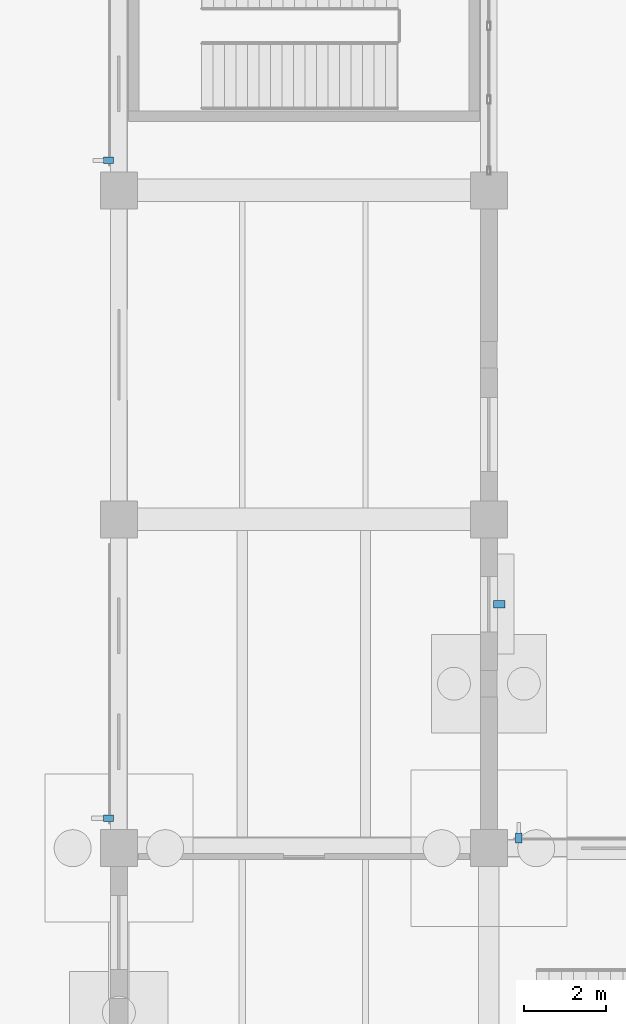
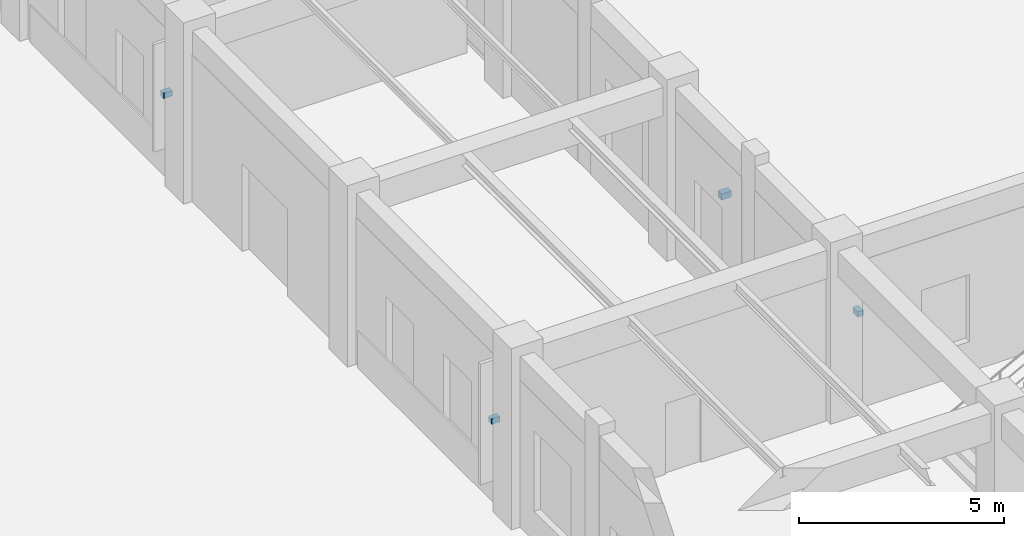
# One storey, part 105 of 121: 4 discrete accessories.
"""IFC4 building model written with IfcOpenShell, lengths in metres."""

from ifc_helpers import new_model, si_unit, derived_unit, direction, frame, origin, origin_2d, place, context, subcontext, project, spatial, rectangle, extrude, material, type_object, element, save


model = new_model("IFC4")

# Units and contexts
model_context = context("Model", 3, precision=1e-05, world=origin(), true_north=direction((0.0, 1.0)))
body_context = subcontext(model_context, "Body", "Model", "MODEL_VIEW")
ifc_project = project(units=[si_unit("LENGTHUNIT", "METRE"), si_unit("AREAUNIT", "SQUARE_METRE"), si_unit("VOLUMEUNIT", "CUBIC_METRE"), si_unit("PLANEANGLEUNIT", "RADIAN"), si_unit("MASSUNIT", "GRAM", prefix="KILO"), derived_unit("THERMALTRANSMITTANCEUNIT", [(si_unit("MASSUNIT", "GRAM", prefix="KILO"), 1), (si_unit("TIMEUNIT", "SECOND"), -3), (si_unit("THERMODYNAMICTEMPERATUREUNIT", "KELVIN"), -1)])], contexts=[model_context])

# Site, building, storey
site_placement = place(None, origin())
site = spatial("IfcSite", under=ifc_project, at=site_placement, CompositionType="ELEMENT")
building_placement = place(site_placement, origin())
building = spatial("IfcBuilding", under=site, at=building_placement, Name="Zhenchuan Archway Interchange", CompositionType="ELEMENT")
storey_placement = place(building_placement, origin())
storey = spatial("IfcBuildingStorey", under=building, at=storey_placement, Name="L00", CompositionType="ELEMENT", Elevation=0.0)

# Discrete accessories
ifc_material = material(Name="Stainless Steel 316", Category="steel")
discrete_accessory_type_1 = type_object("IfcDiscreteAccessoryType", Name="BRK_SHD_1", PredefinedType="BRACKET", material=ifc_material)
for number, where, z_axis, x_axis, name in (
    (1, (98.75, 24.72802734375, 2.4501953125), (0.0, 0.0, 1.0), (0.0, 1.0, 0.0), "Solar fin stainless fixing bracket L00-017"),
    (2, (98.75, 40.72802734375, 2.4501953125), (0.0, 0.0, 1.0), (0.0, 1.0, 0.0), "Solar fin stainless fixing bracket L00-018"),
    (3, (108.72802734375, 24.25, 2.4501953125), (0.0, 0.0, 1.0), (1.0, 0.0, 0.0), "Solar fin stainless fixing bracket L00-027"),
):
    element("IfcDiscreteAccessory", number, at=place(storey_placement, frame(where, z_axis=z_axis, x_axis=x_axis)), inside=storey, type_object=discrete_accessory_type_1, Name=name, PredefinedType="BRACKET", context=body_context, shape_type="SweptSolid", body=[
        extrude(rectangle(XDim=0.159912109375, YDim=0.239990234375, at=origin_2d()), origin(), (0.0, 0.0, 1.0), 0.159912109375),
    ])
discrete_accessory_type_2 = type_object("IfcDiscreteAccessoryType", Name="BRK_SHD_2", PredefinedType="BRACKET", material=ifc_material)
discrete_accessory_placement = place(storey_placement, frame((108.25, 29.9375, 2.66015625), z_axis=(0.0, 0.0, 1.0), x_axis=(0.0, -1.0, 0.0)))
element("IfcDiscreteAccessory", 4, at=discrete_accessory_placement, inside=storey, type_object=discrete_accessory_type_2, Name="Storm-louvre stainless fixing bracket L00-026", PredefinedType="BRACKET", context=body_context, shape_type="SweptSolid", body=[
    extrude(rectangle(XDim=0.179931640625, YDim=0.280029296875, at=origin_2d()), origin(), (0.0, 0.0, 1.0), 0.179931640625),
])

save(model, "model.ifc")
